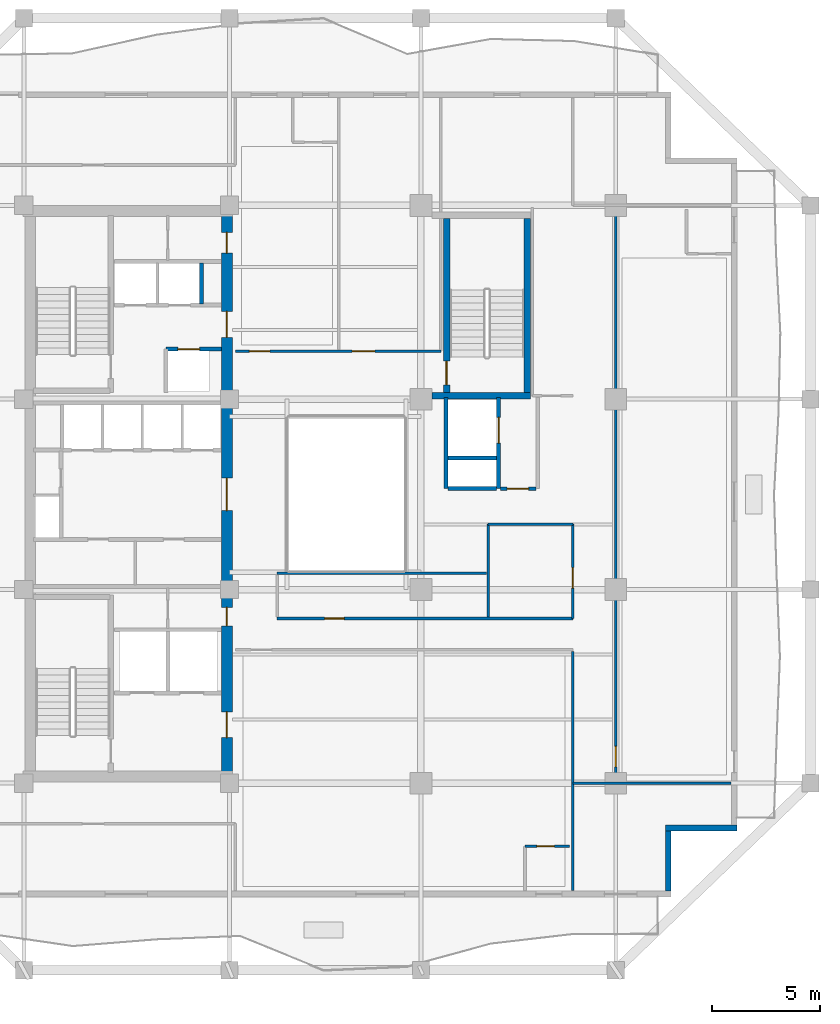
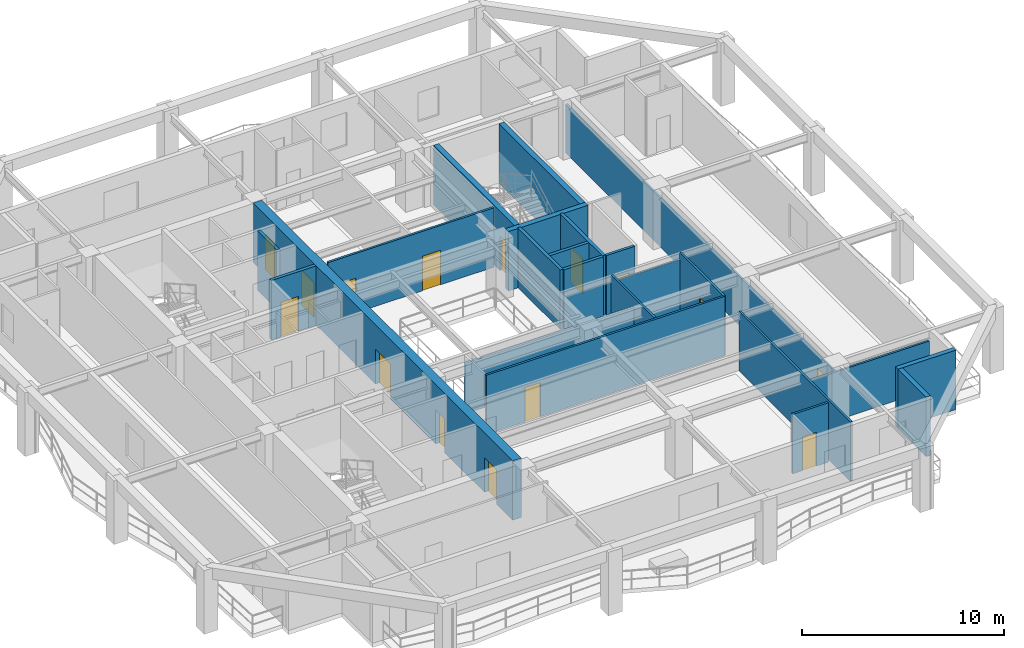
# One storey, part 4 of 10: 23 walls, 15 doors, 15 openings.
"""IFC4 building model written with IfcOpenShell, lengths in metres."""

from ifc_helpers import new_model, si_unit, direction, frame, frame_2d, origin, place, context, subcontext, project, spatial, rectangle, extrude, material, layer, layer_set, type_object, element, fill, save


model = new_model("IFC4")

# Units and contexts
model_context = context("Model", 3, precision=1e-05, world=origin(), true_north=direction((0.0, 1.0)))
body_context = subcontext(model_context, "Body", "Model", "MODEL_VIEW")
ifc_project = project(units=[si_unit("LENGTHUNIT", "METRE"), si_unit("AREAUNIT", "SQUARE_METRE"), si_unit("VOLUMEUNIT", "CUBIC_METRE"), si_unit("PLANEANGLEUNIT", "RADIAN"), si_unit("MASSUNIT", "GRAM", prefix="KILO")], contexts=[model_context])

# Site, building, storey
site_placement = place(None, origin())
site = spatial("IfcSite", under=ifc_project, at=site_placement, CompositionType="ELEMENT")
building_placement = place(site_placement, origin())
building = spatial("IfcBuilding", under=site, at=building_placement, Name="Kundavana Baori Tower", CompositionType="ELEMENT")
storey_placement = place(building_placement, frame((0.0, 0.0, 107.85009765625)))
storey = spatial("IfcBuildingStorey", under=building, at=storey_placement, Name="L25", CompositionType="ELEMENT", Elevation=107.85009765625)

# Wall, openings, doors
ifc_material_1 = material(Name="Concrete C50/60", Category="concrete")
ifc_layer_1 = layer(ifc_material_1, 0.5, Name="WL-CORE-500")
ifc_layer_set_1 = layer_set([ifc_layer_1], Name="Concrete C50/60")
wall_type_1 = type_object("IfcWallType", Name="WL-CORE-500", PredefinedType="SHEAR", material=ifc_layer_set_1)
wall_1_placement = place(storey_placement, frame((24.830078125, 15.739990234375, 0.0), z_axis=(0.0, 0.0, 1.0), x_axis=(0.0, 1.0, 0.0)))
wall_1 = element("IfcWall", 1, at=wall_1_placement, inside=storey, type_object=wall_type_1, Name="L25 Offset Core East Shear Wall", PredefinedType="SHEAR", context=body_context, shape_type="SweptSolid", body=[
    extrude(rectangle(XDim=25.760009765625, YDim=0.5, at=frame_2d((12.8798828125, 0.0))), origin(), (0.0, 0.0, 1.0), 3.599853515625),
])
opening_1_placement = place(wall_1_placement, frame((1.610107421875, 0.0, 0.0)))
opening_1 = element("IfcOpeningElement", 2, at=opening_1_placement, cuts=wall_1, Name="Opening FD-120", PredefinedType="OPENING", context=body_context, shape_type="SweptSolid", body=[
    extrude(rectangle(XDim=1.199951171875, YDim=2.10009765625, at=frame_2d((0.60009765625, 1.050048828125))), frame((0.0, 0.260009765625, 0.0), z_axis=(0.0, -1.0, 0.0), x_axis=(1.0, 0.0, 0.0)), (0.0, 0.0, 1.0), 0.52001953125),
])
opening_2_placement = place(wall_1_placement, frame((6.780029296875, 0.0, 0.0)))
opening_2 = element("IfcOpeningElement", 3, at=opening_2_placement, cuts=wall_1, Name="Opening FD-085", PredefinedType="OPENING", context=body_context, shape_type="SweptSolid", body=[
    extrude(rectangle(XDim=0.85009765625, YDim=2.06005859375, at=frame_2d((0.425048828125, 1.030029296875))), frame((0.0, 0.260009765625, 0.0), z_axis=(0.0, -1.0, 0.0), x_axis=(1.0, 0.0, 0.0)), (0.0, 0.0, 1.0), 0.52001953125),
])
opening_3_placement = place(wall_1_placement, frame((12.110107421875, 0.0, 0.0)))
opening_3 = element("IfcOpeningElement", 4, at=opening_3_placement, cuts=wall_1, Name="Opening FD-150", PredefinedType="OPENING", context=body_context, shape_type="SweptSolid", body=[
    extrude(rectangle(XDim=1.5, YDim=2.1201171875, at=frame_2d((0.75, 1.06005859375))), frame((0.0, 0.260009765625, 0.0), z_axis=(0.0, -1.0, 0.0), x_axis=(1.0, 0.0, 0.0)), (0.0, 0.0, 1.0), 0.52001953125),
])
opening_4_placement = place(wall_1_placement, frame((20.110107421875, 0.0, 0.0)))
opening_4 = element("IfcOpeningElement", 5, at=opening_4_placement, cuts=wall_1, Name="Opening FD-122", PredefinedType="OPENING", context=body_context, shape_type="SweptSolid", body=[
    extrude(rectangle(XDim=1.199951171875, YDim=2.1201171875, at=frame_2d((0.60009765625, 1.06005859375))), frame((0.0, 0.260009765625, 0.0), z_axis=(0.0, -1.0, 0.0), x_axis=(1.0, 0.0, 0.0)), (0.0, 0.0, 1.0), 0.52001953125),
])
opening_5_placement = place(wall_1_placement, frame((24.010009765625, 0.0, 0.0)))
opening_5 = element("IfcOpeningElement", 6, at=opening_5_placement, cuts=wall_1, Name="Opening FD-095", PredefinedType="OPENING", context=body_context, shape_type="SweptSolid", body=[
    extrude(rectangle(XDim=0.949951171875, YDim=2.10009765625, at=frame_2d((0.47509765625, 1.050048828125))), frame((0.0, 0.260009765625, 0.0), z_axis=(0.0, -1.0, 0.0), x_axis=(1.0, 0.0, 0.0)), (0.0, 0.0, 1.0), 0.52001953125),
])
ifc_material_2 = material(Name="Galvanised Steel Fire-Rated Door Leaf", Category="steel")
door_type_1 = type_object("IfcDoorType", Name="DR-FD120-1200", OperationType="NOTDEFINED", PredefinedType="DOOR", material=ifc_material_2)
door_1_placement = place(opening_1_placement, frame((1.199951171875, 0.0, 0.0), z_axis=(0.0, 0.0, 1.0), x_axis=(-1.0, 0.0, 0.0)))
door_1 = element("IfcDoor", 7, at=door_1_placement, inside=storey, type_object=door_type_1, Name="DR-L25-FFLOB-E", OperationType="SINGLE_SWING_RIGHT", OverallHeight=2.10009765625, OverallWidth=1.199951171875, PredefinedType="DOOR", context=body_context, shape_type="SweptSolid", body=[
    extrude(rectangle(XDim=1.199951171875, YDim=2.10009765625, at=frame_2d((0.60009765625, 1.050048828125))), frame((0.0, 0.02490234375, 0.0), z_axis=(0.0, -1.0, 0.0), x_axis=(1.0, 0.0, 0.0)), (0.0, 0.0, 1.0), 0.050048828125),
])
fill(opening_1, door_1)
ifc_material_3 = material(Name="Galvanised Steel Fire-Rated Door Leaf", Category="steel")
door_type_2 = type_object("IfcDoorType", Name="DR-FD60-1200", OperationType="NOTDEFINED", PredefinedType="DOOR", material=ifc_material_3)
door_2_placement = place(opening_4_placement, frame((1.199951171875, 0.0, 0.0), z_axis=(0.0, 0.0, 1.0), x_axis=(-1.0, 0.0, 0.0)))
door_2 = element("IfcDoor", 8, at=door_2_placement, inside=storey, type_object=door_type_2, Name="DR-L25-HRLOB-E", OperationType="SINGLE_SWING_RIGHT", OverallHeight=2.1201171875, OverallWidth=1.199951171875, PredefinedType="DOOR", context=body_context, shape_type="SweptSolid", body=[
    extrude(rectangle(XDim=1.199951171875, YDim=2.1201171875, at=frame_2d((0.60009765625, 1.06005859375))), frame((0.0, 0.02490234375, 0.0), z_axis=(0.0, -1.0, 0.0), x_axis=(1.0, 0.0, 0.0)), (0.0, 0.0, 1.0), 0.050048828125),
])
fill(opening_4, door_2)
ifc_material_4 = material(Name="Galvanised Steel Fire-Rated Door Leaf", Category="steel")
door_type_3 = type_object("IfcDoorType", Name="DR-FD60-1500", OperationType="NOTDEFINED", PredefinedType="DOOR", material=ifc_material_4)
door_3_placement = place(opening_3_placement, frame((1.5, 0.0, 0.0), z_axis=(0.0, 0.0, 1.0), x_axis=(-1.0, 0.0, 0.0)))
door_3 = element("IfcDoor", 9, at=door_3_placement, inside=storey, type_object=door_type_3, Name="DR-L25-LIFTHALL-E", OperationType="SINGLE_SWING_LEFT", OverallHeight=2.1201171875, OverallWidth=1.5, PredefinedType="DOOR", context=body_context, shape_type="SweptSolid", body=[
    extrude(rectangle(XDim=1.5, YDim=2.1201171875, at=frame_2d((0.75, 1.06005859375))), frame((0.0, 0.02490234375, 0.0), z_axis=(0.0, -1.0, 0.0), x_axis=(1.0, 0.0, 0.0)), (0.0, 0.0, 1.0), 0.050048828125),
])
fill(opening_3, door_3)
ifc_material_5 = material(Name="Galvanised Steel Fire-Rated Door Leaf", Category="steel")
door_type_4 = type_object("IfcDoorType", Name="DR-FD60-850", OperationType="NOTDEFINED", PredefinedType="DOOR", material=ifc_material_5)
door_4_placement = place(opening_2_placement, frame((0.85009765625, 0.0, 0.0), z_axis=(0.0, 0.0, 1.0), x_axis=(-1.0, 0.0, 0.0)))
door_4 = element("IfcDoor", 10, at=door_4_placement, inside=storey, type_object=door_type_4, Name="DR-L25-CSMK2", OperationType="SINGLE_SWING_RIGHT", OverallHeight=2.06005859375, OverallWidth=0.85009765625, PredefinedType="DOOR", context=body_context, shape_type="SweptSolid", body=[
    extrude(rectangle(XDim=0.85009765625, YDim=2.06005859375, at=frame_2d((0.425048828125, 1.030029296875))), frame((0.0, 0.02490234375, 0.0), z_axis=(0.0, -1.0, 0.0), x_axis=(1.0, 0.0, 0.0)), (0.0, 0.0, 1.0), 0.050048828125),
])
fill(opening_2, door_4)
ifc_material_6 = material(Name="Engineered Teak Fire-Rated Timber Door Leaf", Category="wood")
door_type_5 = type_object("IfcDoorType", Name="DR-FD60-950", OperationType="NOTDEFINED", PredefinedType="DOOR", material=ifc_material_6)
door_5_placement = place(opening_5_placement, frame((0.949951171875, 0.0, 0.0), z_axis=(0.0, 0.0, 1.0), x_axis=(-1.0, 0.0, 0.0)))
door_5 = element("IfcDoor", 11, at=door_5_placement, inside=storey, type_object=door_type_5, Name="DR-L25-CSRV2", OperationType="SINGLE_SWING_RIGHT", OverallHeight=2.10009765625, OverallWidth=0.949951171875, PredefinedType="DOOR", context=body_context, shape_type="SweptSolid", body=[
    extrude(rectangle(XDim=0.949951171875, YDim=2.10009765625, at=frame_2d((0.47509765625, 1.050048828125))), frame((0.0, 0.02490234375, 0.0), z_axis=(0.0, -1.0, 0.0), x_axis=(1.0, 0.0, 0.0)), (0.0, 0.0, 1.0), 0.050048828125),
])
fill(opening_5, door_5)

# Walls
ifc_material_7 = material(Name="Kiln-Fired Terracotta Brick-Slip Masonry on Concrete C40/50", Category="masonry")
ifc_layer_2 = layer(ifc_material_7, 0.260009765625, Name="WL-EXT-BRK-260")
ifc_layer_set_2 = layer_set([ifc_layer_2], Name="Kiln-Fired Terracotta Brick-Slip Masonry on Concrete C40/50")
wall_type_2 = type_object("IfcWallType", Name="WL-EXT-BRK-260", PredefinedType="SOLIDWALL", material=ifc_layer_set_2)
wall_2_placement = place(storey_placement, frame((45.219970703125, 10.260009765625, 0.0), z_axis=(0.0, 0.0, 1.0), x_axis=(0.0, 1.0, 0.0)))
element("IfcWall", 12, at=wall_2_placement, inside=storey, type_object=wall_type_2, Name="L25 Exterior Insulated Facade Wall 02", PredefinedType="SOLIDWALL", context=body_context, shape_type="SweptSolid", body=[
    extrude(rectangle(XDim=2.7900390625, YDim=0.260009765625, at=frame_2d((1.39501953125, 0.0))), origin(), (0.0, 0.0, 1.0), 3.599853515625),
])
wall_3_placement = place(storey_placement, frame((45.090087890625, 13.179931640625, 0.0), z_axis=(0.0, 0.0, 1.0), x_axis=(1.0, 0.0, 0.0)))
element("IfcWall", 13, at=wall_3_placement, inside=storey, type_object=wall_type_2, Name="L25 Exterior Insulated Facade Wall 03", PredefinedType="SOLIDWALL", context=body_context, shape_type="SweptSolid", body=[
    extrude(rectangle(XDim=3.309814453125, YDim=0.260009765625, at=frame_2d((1.65478515625, 0.0))), origin(), (0.0, 0.0, 1.0), 3.599853515625),
])

# Wall, opening, door
ifc_material_8 = material(Name="Acoustic Gypsum Plasterboard on Galvanised Steel Studs", Category="steel")
ifc_layer_3 = layer(ifc_material_8, 0.1201171875, Name="WL-PART-120")
ifc_layer_set_3 = layer_set([ifc_layer_3], Name="Acoustic Gypsum Plasterboard on Galvanised Steel Studs")
wall_type_3 = type_object("IfcWallType", Name="WL-PART-120", PredefinedType="PARTITIONING", material=ifc_layer_set_3)
wall_4_placement = place(storey_placement, frame((27.14990234375, 22.860107421875, 0.0), z_axis=(0.0, 0.0, 1.0), x_axis=(1.0, 0.0, 0.0)))
wall_4 = element("IfcWall", 14, at=wall_4_placement, inside=storey, type_object=wall_type_3, Name="WL-L25-HST", PredefinedType="PARTITIONING", context=body_context, shape_type="SweptSolid", body=[
    extrude(rectangle(XDim=13.670166015625, YDim=0.1201171875, at=frame_2d((6.8349609375, 0.0))), origin(), (0.0, 0.0, 1.0), 3.599853515625),
])
opening_6_placement = place(wall_4_placement, frame((2.199951171875, 0.0, 0.0)))
opening_6 = element("IfcOpeningElement", 15, at=opening_6_placement, cuts=wall_4, Name="Opening ID-090", PredefinedType="OPENING", context=body_context, shape_type="SweptSolid", body=[
    extrude(rectangle(XDim=0.89990234375, YDim=2.080078125, at=frame_2d((0.449951171875, 1.0400390625))), frame((0.0, 0.070068359375, 0.0), z_axis=(0.0, -1.0, 0.0), x_axis=(1.0, 0.0, 0.0)), (0.0, 0.0, 1.0), 0.14013671875),
])
ifc_material_9 = material(Name="Engineered Teak Solid-Core Timber Veneer", Category="wood")
door_type_6 = type_object("IfcDoorType", Name="DR-INT-900", OperationType="NOTDEFINED", PredefinedType="DOOR", material=ifc_material_9)
door_6_placement = place(opening_6_placement, origin())
door_6 = element("IfcDoor", 16, at=door_6_placement, inside=storey, type_object=door_type_6, Name="DR-L25-HPNT", OperationType="SINGLE_SWING_LEFT", OverallHeight=2.080078125, OverallWidth=0.89990234375, PredefinedType="DOOR", context=body_context, shape_type="SweptSolid", body=[
    extrude(rectangle(XDim=0.89990234375, YDim=2.080078125, at=frame_2d((0.449951171875, 1.0400390625))), frame((0.0, 0.02490234375, 0.0), z_axis=(0.0, -1.0, 0.0), x_axis=(1.0, 0.0, 0.0)), (0.0, 0.0, 1.0), 0.050048828125),
])
fill(opening_6, door_6)

# Wall, openings, doors
wall_5_placement = place(storey_placement, frame((25.219970703125, 35.219970703125, 0.0), z_axis=(0.0, 0.0, 1.0), x_axis=(1.0, 0.0, 0.0)))
wall_5 = element("IfcWall", 17, at=wall_5_placement, inside=storey, type_object=wall_type_3, Name="WL-L25-HN", PredefinedType="PARTITIONING", context=body_context, shape_type="SweptSolid", body=[
    extrude(rectangle(XDim=9.5, YDim=0.1201171875, at=frame_2d((4.75, 0.0))), origin(), (0.0, 0.0, 1.0), 3.599853515625),
])
opening_7_placement = place(wall_5_placement, frame((0.64990234375, 0.0, 0.0)))
opening_7 = element("IfcOpeningElement", 18, at=opening_7_placement, cuts=wall_5, Name="Opening FD-095", PredefinedType="OPENING", context=body_context, shape_type="SweptSolid", body=[
    extrude(rectangle(XDim=0.949951171875, YDim=2.10009765625, at=frame_2d((0.47509765625, 1.050048828125))), frame((0.0, 0.070068359375, 0.0), z_axis=(0.0, -1.0, 0.0), x_axis=(1.0, 0.0, 0.0)), (0.0, 0.0, 1.0), 0.14013671875),
])
opening_8_placement = place(wall_5_placement, frame((5.39990234375, 0.0, 0.0)))
opening_8 = element("IfcOpeningElement", 19, at=opening_8_placement, cuts=wall_5, Name="Opening ID-105", PredefinedType="OPENING", context=body_context, shape_type="SweptSolid", body=[
    extrude(rectangle(XDim=1.050048828125, YDim=2.10009765625, at=frame_2d((0.52490234375, 1.050048828125))), frame((0.0, 0.070068359375, 0.0), z_axis=(0.0, -1.0, 0.0), x_axis=(1.0, 0.0, 0.0)), (0.0, 0.0, 1.0), 0.14013671875),
])
door_7_placement = place(opening_7_placement, origin())
door_7 = element("IfcDoor", 20, at=door_7_placement, inside=storey, type_object=door_type_5, Name="DR-L25-HK-N1-ENT", OperationType="SINGLE_SWING_LEFT", OverallHeight=2.10009765625, OverallWidth=0.949951171875, PredefinedType="DOOR", context=body_context, shape_type="SweptSolid", body=[
    extrude(rectangle(XDim=0.949951171875, YDim=2.10009765625, at=frame_2d((0.47509765625, 1.050048828125))), frame((0.0, 0.02490234375, 0.0), z_axis=(0.0, -1.0, 0.0), x_axis=(1.0, 0.0, 0.0)), (0.0, 0.0, 1.0), 0.050048828125),
])
fill(opening_7, door_7)
ifc_material_10 = material(Name="Engineered Teak Solid-Core Timber Veneer", Category="wood")
door_type_7 = type_object("IfcDoorType", Name="DR-INT-1050", OperationType="NOTDEFINED", PredefinedType="DOOR", material=ifc_material_10)
door_8_placement = place(opening_8_placement, origin())
door_8 = element("IfcDoor", 21, at=door_8_placement, inside=storey, type_object=door_type_7, Name="DR-L25-HLNG", OperationType="SINGLE_SWING_RIGHT", OverallHeight=2.10009765625, OverallWidth=1.050048828125, PredefinedType="DOOR", context=body_context, shape_type="SweptSolid", body=[
    extrude(rectangle(XDim=1.050048828125, YDim=2.10009765625, at=frame_2d((0.52490234375, 1.050048828125))), frame((0.0, 0.02490234375, 0.0), z_axis=(0.0, -1.0, 0.0), x_axis=(1.0, 0.0, 0.0)), (0.0, 0.0, 1.0), 0.050048828125),
])
fill(opening_8, door_8)

# Wall, opening, door
wall_6_placement = place(storey_placement, frame((42.800048828125, 15.25, 0.0), z_axis=(0.0, 0.0, 1.0), x_axis=(0.0, 1.0, 0.0)))
wall_6 = element("IfcWall", 22, at=wall_6_placement, inside=storey, type_object=wall_type_3, Name="WL-L25-HE", PredefinedType="PARTITIONING", context=body_context, shape_type="SweptSolid", body=[
    extrude(rectangle(XDim=26.699951171875, YDim=0.1201171875, at=frame_2d((13.35009765625, 0.0))), origin(), (0.0, 0.0, 1.0), 2.949951171875),
])
opening_9_placement = place(wall_6_placement, frame((0.75, 0.0, 0.0)))
opening_9 = element("IfcOpeningElement", 23, at=opening_9_placement, cuts=wall_6, Name="Opening FD-095", PredefinedType="OPENING", context=body_context, shape_type="SweptSolid", body=[
    extrude(rectangle(XDim=0.949951171875, YDim=2.10009765625, at=frame_2d((0.47509765625, 1.050048828125))), frame((0.0, 0.070068359375, 0.0), z_axis=(0.0, -1.0, 0.0), x_axis=(1.0, 0.0, 0.0)), (0.0, 0.0, 1.0), 0.14013671875),
])
door_9_placement = place(opening_9_placement, origin())
door_9 = element("IfcDoor", 24, at=door_9_placement, inside=storey, type_object=door_type_5, Name="DR-L25-HK-E1-ENT", OperationType="SINGLE_SWING_LEFT", OverallHeight=2.10009765625, OverallWidth=0.949951171875, PredefinedType="DOOR", context=body_context, shape_type="SweptSolid", body=[
    extrude(rectangle(XDim=0.949951171875, YDim=2.10009765625, at=frame_2d((0.47509765625, 1.050048828125))), frame((0.0, 0.02490234375, 0.0), z_axis=(0.0, -1.0, 0.0), x_axis=(1.0, 0.0, 0.0)), (0.0, 0.0, 1.0), 0.050048828125),
])
fill(opening_9, door_9)

# Wall
wall_7_placement = place(storey_placement, frame((40.820068359375, 15.25, 0.0), z_axis=(0.0, 0.0, 1.0), x_axis=(1.0, 0.0, 0.0)))
element("IfcWall", 25, at=wall_7_placement, inside=storey, type_object=wall_type_3, Name="WL-L25-HES", PredefinedType="PARTITIONING", context=body_context, shape_type="SweptSolid", body=[
    extrude(rectangle(XDim=7.300048828125, YDim=0.1201171875, at=frame_2d((3.64990234375, 0.0))), origin(), (0.0, 0.0, 1.0), 2.949951171875),
])

# Wall, opening, door
wall_8_placement = place(storey_placement, frame((40.820068359375, 22.860107421875, 0.0), z_axis=(0.0, 0.0, 1.0), x_axis=(0.0, 1.0, 0.0)))
wall_8 = element("IfcWall", 26, at=wall_8_placement, inside=storey, type_object=wall_type_3, Name="WL-L25-HEW", PredefinedType="PARTITIONING", context=body_context, shape_type="SweptSolid", body=[
    extrude(rectangle(XDim=4.35986328125, YDim=0.1201171875, at=frame_2d((2.179931640625, 0.0))), origin(), (0.0, 0.0, 1.0), 3.599853515625),
])
opening_10_placement = place(wall_8_placement, frame((1.39990234375, 0.0, 0.0)))
opening_10 = element("IfcOpeningElement", 27, at=opening_10_placement, cuts=wall_8, Name="Opening FD-095", PredefinedType="OPENING", context=body_context, shape_type="SweptSolid", body=[
    extrude(rectangle(XDim=0.949951171875, YDim=2.10009765625, at=frame_2d((0.47509765625, 1.050048828125))), frame((0.0, 0.070068359375, 0.0), z_axis=(0.0, -1.0, 0.0), x_axis=(1.0, 0.0, 0.0)), (0.0, 0.0, 1.0), 0.14013671875),
])
door_10_placement = place(opening_10_placement, frame((0.949951171875, 0.0, 0.0), z_axis=(0.0, 0.0, 1.0), x_axis=(-1.0, 0.0, 0.0)))
door_10 = element("IfcDoor", 28, at=door_10_placement, inside=storey, type_object=door_type_5, Name="DR-L25-HSK", OperationType="SINGLE_SWING_RIGHT", OverallHeight=2.10009765625, OverallWidth=0.949951171875, PredefinedType="DOOR", context=body_context, shape_type="SweptSolid", body=[
    extrude(rectangle(XDim=0.949951171875, YDim=2.10009765625, at=frame_2d((0.47509765625, 1.050048828125))), frame((0.0, 0.02490234375, 0.0), z_axis=(0.0, -1.0, 0.0), x_axis=(1.0, 0.0, 0.0)), (0.0, 0.0, 1.0), 0.050048828125),
])
fill(opening_10, door_10)

# Walls
wall_9_placement = place(storey_placement, frame((36.89990234375, 27.219970703125, 0.0), z_axis=(0.0, 0.0, 1.0), x_axis=(1.0, 0.0, 0.0)))
element("IfcWall", 29, at=wall_9_placement, inside=storey, type_object=wall_type_3, Name="WL-L25-HKN", PredefinedType="PARTITIONING", context=body_context, shape_type="SweptSolid", body=[
    extrude(rectangle(XDim=3.920166015625, YDim=0.1201171875, at=frame_2d((1.9599609375, 0.0))), origin(), (0.0, 0.0, 1.0), 3.199951171875),
])
wall_10_placement = place(storey_placement, frame((36.89990234375, 22.93994140625, 0.0), z_axis=(0.0, 0.0, 1.0), x_axis=(0.0, 1.0, 0.0)))
element("IfcWall", 30, at=wall_10_placement, inside=storey, type_object=wall_type_3, Name="WL-L25-HKD", PredefinedType="PARTITIONING", context=body_context, shape_type="SweptSolid", body=[
    extrude(rectangle(XDim=4.280029296875, YDim=0.1201171875, at=frame_2d((2.14013671875, 0.0))), origin(), (0.0, 0.0, 1.0), 3.599853515625),
])
wall_11_placement = place(storey_placement, frame((27.14990234375, 24.949951171875, 0.0), z_axis=(0.0, 0.0, 1.0), x_axis=(1.0, 0.0, 0.0)))
element("IfcWall", 31, at=wall_11_placement, inside=storey, type_object=wall_type_3, Name="WL-L25-HPN1", PredefinedType="PARTITIONING", context=body_context, shape_type="SweptSolid", body=[
    extrude(rectangle(XDim=9.670166015625, YDim=0.1201171875, at=frame_2d((4.8349609375, 0.0))), origin(), (0.0, 0.0, 1.0), 3.0498046875),
])
wall_12_placement = place(storey_placement, frame((40.820068359375, 10.280029296875, 0.0), z_axis=(0.0, 0.0, 1.0), x_axis=(0.0, 1.0, 0.0)))
element("IfcWall", 32, at=wall_12_placement, inside=storey, type_object=wall_type_3, Name="WL-L25-HSEND", PredefinedType="PARTITIONING", context=body_context, shape_type="SweptSolid", body=[
    extrude(rectangle(XDim=11.06005859375, YDim=0.1201171875, at=frame_2d((5.530029296875, 0.0))), origin(), (0.0, 0.0, 1.0), 3.599853515625),
])

# Wall, opening, door
ifc_material_11 = material(Name="Fire-Rated Gypsum Drywall on Galvanised Steel Studs", Category="steel")
ifc_layer_4 = layer(ifc_material_11, 0.14990234375, Name="WL-PART-150")
ifc_layer_set_4 = layer_set([ifc_layer_4], Name="Fire-Rated Gypsum Drywall on Galvanised Steel Studs")
wall_type_4 = type_object("IfcWallType", Name="WL-PART-150", PredefinedType="PARTITIONING", material=ifc_layer_set_4)
wall_13_placement = place(storey_placement, frame((37.47998046875, 28.860107421875, 0.0), z_axis=(0.0, 0.0, 1.0), x_axis=(1.0, 0.0, 0.0)))
wall_13 = element("IfcWall", 33, at=wall_13_placement, inside=storey, type_object=wall_type_4, Name="WL-L25-SVLOB-S", PredefinedType="PARTITIONING", context=body_context, shape_type="SweptSolid", body=[
    extrude(rectangle(XDim=1.64013671875, YDim=0.14990234375, at=frame_2d((0.820068359375, 0.0))), origin(), (0.0, 0.0, 1.0), 3.599853515625),
])
opening_11_placement = place(wall_13_placement, frame((0.300048828125, 0.0, 0.0)))
opening_11 = element("IfcOpeningElement", 34, at=opening_11_placement, cuts=wall_13, Name="Opening FD-100", PredefinedType="OPENING", context=body_context, shape_type="SweptSolid", body=[
    extrude(rectangle(XDim=1.0, YDim=2.10009765625, at=frame_2d((0.5, 1.050048828125))), frame((0.0, 0.0849609375, 0.0), z_axis=(0.0, -1.0, 0.0), x_axis=(1.0, 0.0, 0.0)), (0.0, 0.0, 1.0), 0.169921875),
])
ifc_material_12 = material(Name="Engineered Teak Fire-Rated Timber Door Leaf", Category="wood")
door_type_8 = type_object("IfcDoorType", Name="DR-FD60-1000", OperationType="NOTDEFINED", PredefinedType="DOOR", material=ifc_material_12)
door_11_placement = place(opening_11_placement, origin())
door_11 = element("IfcDoor", 35, at=door_11_placement, inside=storey, type_object=door_type_8, Name="DR-L25-SVLOB-OUT", OperationType="SINGLE_SWING_LEFT", OverallHeight=2.10009765625, OverallWidth=1.0, PredefinedType="DOOR", context=body_context, shape_type="SweptSolid", body=[
    extrude(rectangle(XDim=1.0, YDim=2.10009765625, at=frame_2d((0.5, 1.050048828125))), frame((0.0, 0.02490234375, 0.0), z_axis=(0.0, -1.0, 0.0), x_axis=(1.0, 0.0, 0.0)), (0.0, 0.0, 1.0), 0.050048828125),
])
fill(opening_11, door_11)

ifc_material_13 = material(Name="Autoclaved Aerated Concrete Blockwork Masonry", Category="masonry")
ifc_layer_5 = layer(ifc_material_13, 0.179931640625, Name="WL-SHAFT-180")
ifc_layer_set_5 = layer_set([ifc_layer_5], Name="Autoclaved Aerated Concrete Blockwork Masonry")
wall_type_5 = type_object("IfcWallType", Name="WL-SHAFT-180", PredefinedType="SOLIDWALL", material=ifc_layer_set_5)
wall_14_placement = place(storey_placement, frame((22.02001953125, 35.31005859375, 0.0), z_axis=(0.0, 0.0, 1.0), x_axis=(1.0, 0.0, 0.0)))
wall_14 = element("IfcWall", 36, at=wall_14_placement, inside=storey, type_object=wall_type_5, Name="WL-L25-LP11-N", PredefinedType="SOLIDWALL", context=body_context, shape_type="SweptSolid", body=[
    extrude(rectangle(XDim=2.56005859375, YDim=0.179931640625, at=frame_2d((1.280029296875, 0.0))), origin(), (0.0, 0.0, 1.0), 3.599853515625),
])
opening_12_placement = place(wall_14_placement, frame((0.550048828125, 0.0, 0.0)))
opening_12 = element("IfcOpeningElement", 37, at=opening_12_placement, cuts=wall_14, Name="Opening LD-100", PredefinedType="OPENING", context=body_context, shape_type="SweptSolid", body=[
    extrude(rectangle(XDim=1.0, YDim=2.10009765625, at=frame_2d((0.5, 1.050048828125))), frame((0.0, 0.10009765625, 0.0), z_axis=(0.0, -1.0, 0.0), x_axis=(1.0, 0.0, 0.0)), (0.0, 0.0, 1.0), 0.199951171875),
])
ifc_material_14 = material(Name="Galvanised Steel Fire-Rated Door Leaf", Category="steel")
door_type_9 = type_object("IfcDoorType", Name="DR-SLIDE-LD1000", OperationType="NOTDEFINED", PredefinedType="DOOR", material=ifc_material_14)
door_12_placement = place(opening_12_placement, origin())
door_12 = element("IfcDoor", 38, at=door_12_placement, inside=storey, type_object=door_type_9, Name="DR-L25-LD-LP11", OperationType="DOUBLE_DOOR_SLIDING", OverallHeight=2.10009765625, OverallWidth=1.0, PredefinedType="DOOR", context=body_context, shape_type="SweptSolid", body=[
    extrude(rectangle(XDim=1.0, YDim=2.10009765625, at=frame_2d((0.5, 1.050048828125))), frame((0.0, 0.02490234375, 0.0), z_axis=(0.0, -1.0, 0.0), x_axis=(1.0, 0.0, 0.0)), (0.0, 0.0, 1.0), 0.050048828125),
])
fill(opening_12, door_12)

# Walls
wall_15_placement = place(storey_placement, frame((23.659912109375, 37.39990234375, 0.0), z_axis=(0.0, 0.0, 1.0), x_axis=(0.0, 1.0, 0.0)))
element("IfcWall", 39, at=wall_15_placement, inside=storey, type_object=wall_type_5, Name="WL-L25-HR-DIV2", PredefinedType="SOLIDWALL", context=body_context, shape_type="SweptSolid", body=[
    extrude(rectangle(XDim=1.900146484375, YDim=0.179931640625, at=frame_2d((0.9501953125, 0.0))), origin(), (0.0, 0.0, 1.0), 3.599853515625),
])
wall_16_placement = place(storey_placement, frame((34.9599609375, 28.860107421875, 0.0), z_axis=(0.0, 0.0, 1.0), x_axis=(0.0, 1.0, 0.0)))
element("IfcWall", 40, at=wall_16_placement, inside=storey, type_object=wall_type_5, Name="WL-L25-SVL-W", PredefinedType="SOLIDWALL", context=body_context, shape_type="SweptSolid", body=[
    extrude(rectangle(XDim=4.219970703125, YDim=0.179931640625, at=frame_2d((2.10986328125, 0.0))), origin(), (0.0, 0.0, 1.0), 3.599853515625),
])

# Wall, opening, door
wall_17_placement = place(storey_placement, frame((37.389892578125, 28.860107421875, 0.0), z_axis=(0.0, 0.0, 1.0), x_axis=(0.0, 1.0, 0.0)))
wall_17 = element("IfcWall", 41, at=wall_17_placement, inside=storey, type_object=wall_type_5, Name="WL-L25-SVL-E", PredefinedType="SOLIDWALL", context=body_context, shape_type="SweptSolid", body=[
    extrude(rectangle(XDim=4.219970703125, YDim=0.179931640625, at=frame_2d((2.10986328125, 0.0))), origin(), (0.0, 0.0, 1.0), 3.599853515625),
])
opening_13_placement = place(wall_17_placement, frame((2.10009765625, 0.0, 0.0)))
opening_13 = element("IfcOpeningElement", 42, at=opening_13_placement, cuts=wall_17, Name="Opening LD-120", PredefinedType="OPENING", context=body_context, shape_type="SweptSolid", body=[
    extrude(rectangle(XDim=1.199951171875, YDim=2.1201171875, at=frame_2d((0.60009765625, 1.06005859375))), frame((0.0, 0.10009765625, 0.0), z_axis=(0.0, -1.0, 0.0), x_axis=(1.0, 0.0, 0.0)), (0.0, 0.0, 1.0), 0.199951171875),
])
ifc_material_15 = material(Name="Galvanised Steel Fire-Rated Door Leaf", Category="steel")
door_type_10 = type_object("IfcDoorType", Name="DR-SLIDE-LD1200", OperationType="NOTDEFINED", PredefinedType="DOOR", material=ifc_material_15)
door_13_placement = place(opening_13_placement, frame((1.199951171875, 0.0, 0.0), z_axis=(0.0, 0.0, 1.0), x_axis=(-1.0, 0.0, 0.0)))
door_13 = element("IfcDoor", 43, at=door_13_placement, inside=storey, type_object=door_type_10, Name="DR-L25-LD-SVL1", OperationType="DOUBLE_DOOR_SLIDING", OverallHeight=2.1201171875, OverallWidth=1.199951171875, PredefinedType="DOOR", context=body_context, shape_type="SweptSolid", body=[
    extrude(rectangle(XDim=1.199951171875, YDim=2.1201171875, at=frame_2d((0.60009765625, 1.06005859375))), frame((0.0, 0.02490234375, 0.0), z_axis=(0.0, -1.0, 0.0), x_axis=(1.0, 0.0, 0.0)), (0.0, 0.0, 1.0), 0.050048828125),
])
fill(opening_13, door_13)

# Walls
for number, where, z_axis, x_axis, name in (
    (44, (35.050048828125, 28.860107421875, 0.0), (0.0, 0.0, 1.0), (1.0, 0.0, 0.0), "WL-L25-SVL-S"),
    (45, (35.050048828125, 30.27001953125, 0.0), (0.0, 0.0, 1.0), (1.0, 0.0, 0.0), "WL-L25-SVL-M"),
):
    element("IfcWall", number, at=place(storey_placement, frame(where, z_axis=z_axis, x_axis=x_axis)), inside=storey, type_object=wall_type_5, Name=name, PredefinedType="SOLIDWALL", context=body_context, shape_type="SweptSolid", body=[
        extrude(rectangle(XDim=2.25, YDim=0.179931640625, at=frame_2d((1.125, 0.0))), origin(), (0.0, 0.0, 1.0), 3.599853515625),
    ])
ifc_material_16 = material(Name="Concrete C50/60", Category="concrete")
ifc_layer_6 = layer(ifc_material_16, 0.300048828125, Name="WL-ST3-300")
ifc_layer_set_6 = layer_set([ifc_layer_6], Name="Concrete C50/60")
wall_type_6 = type_object("IfcWallType", Name="WL-ST3-300", PredefinedType="SHEAR", material=ifc_layer_set_6)
wall_18_placement = place(storey_placement, frame((34.300048828125, 33.159912109375, 0.0), z_axis=(0.0, 0.0, 1.0), x_axis=(1.0, 0.0, 0.0)))
element("IfcWall", 46, at=wall_18_placement, inside=storey, type_object=wall_type_6, Name="L25 Stair ST3 South Shear Wall", PredefinedType="SHEAR", context=body_context, shape_type="SweptSolid", body=[
    extrude(rectangle(XDim=4.570068359375, YDim=0.300048828125, at=frame_2d((2.28515625, 0.0))), origin(), (0.0, 0.0, 1.0), 3.599853515625),
])

# Wall, opening, door
wall_19_placement = place(storey_placement, frame((34.97998046875, 33.31005859375, 0.0), z_axis=(0.0, 0.0, 1.0), x_axis=(0.0, 1.0, 0.0)))
wall_19 = element("IfcWall", 47, at=wall_19_placement, inside=storey, type_object=wall_type_6, Name="L25 Stair ST3 West Shear Wall", PredefinedType="SHEAR", context=body_context, shape_type="SweptSolid", body=[
    extrude(rectangle(XDim=8.030029296875, YDim=0.300048828125, at=frame_2d((4.01513671875, 0.0))), origin(), (0.0, 0.0, 1.0), 3.599853515625),
])
opening_14_placement = place(wall_19_placement, frame((0.35009765625, 0.0, 0.0)))
opening_14 = element("IfcOpeningElement", 48, at=opening_14_placement, cuts=wall_19, Name="Opening FD-110", PredefinedType="OPENING", context=body_context, shape_type="SweptSolid", body=[
    extrude(rectangle(XDim=1.10009765625, YDim=2.10009765625, at=frame_2d((0.550048828125, 1.050048828125))), frame((0.0, 0.16015625, 0.0), z_axis=(0.0, -1.0, 0.0), x_axis=(1.0, 0.0, 0.0)), (0.0, 0.0, 1.0), 0.320068359375),
])
ifc_material_17 = material(Name="Galvanised Steel Fire-Rated Door Leaf", Category="steel")
door_type_11 = type_object("IfcDoorType", Name="DR-FD120-1100", OperationType="NOTDEFINED", PredefinedType="DOOR", material=ifc_material_17)
door_14_placement = place(opening_14_placement, origin())
door_14 = element("IfcDoor", 49, at=door_14_placement, inside=storey, type_object=door_type_11, Name="DR-L25-ST3-W", OperationType="SINGLE_SWING_LEFT", OverallHeight=2.10009765625, OverallWidth=1.10009765625, PredefinedType="DOOR", context=body_context, shape_type="SweptSolid", body=[
    extrude(rectangle(XDim=1.10009765625, YDim=2.10009765625, at=frame_2d((0.550048828125, 1.050048828125))), frame((0.0, 0.02490234375, 0.0), z_axis=(0.0, -1.0, 0.0), x_axis=(1.0, 0.0, 0.0)), (0.0, 0.0, 1.0), 0.050048828125),
])
fill(opening_14, door_14)

# Wall
wall_20_placement = place(storey_placement, frame((38.719970703125, 33.31005859375, 0.0), z_axis=(0.0, 0.0, 1.0), x_axis=(0.0, 1.0, 0.0)))
element("IfcWall", 50, at=wall_20_placement, inside=storey, type_object=wall_type_6, Name="L25 Stair ST3 East Shear Wall", PredefinedType="SHEAR", context=body_context, shape_type="SweptSolid", body=[
    extrude(rectangle(XDim=8.030029296875, YDim=0.300048828125, at=frame_2d((4.01513671875, 0.0))), origin(), (0.0, 0.0, 1.0), 3.599853515625),
])

# Wall, opening, door
ifc_material_18 = material(Name="Autoclaved Aerated Concrete Blockwork Masonry", Category="masonry")
ifc_layer_7 = layer(ifc_material_18, 0.125, Name="WL-WET-120")
ifc_layer_set_7 = layer_set([ifc_layer_7], Name="Autoclaved Aerated Concrete Blockwork Masonry")
wall_type_7 = type_object("IfcWallType", Name="WL-WET-120", PredefinedType="PLUMBINGWALL", material=ifc_layer_set_7)
wall_21_placement = place(storey_placement, frame((38.610107421875, 12.330078125, 0.0), z_axis=(0.0, 0.0, 1.0), x_axis=(1.0, 0.0, 0.0)))
wall_21 = element("IfcWall", 51, at=wall_21_placement, inside=storey, type_object=wall_type_7, Name="WL-L25-HK-S1-BN", PredefinedType="PLUMBINGWALL", context=body_context, shape_type="SweptSolid", body=[
    extrude(rectangle(XDim=2.0498046875, YDim=0.125, at=frame_2d((1.02490234375, 0.0))), origin(), (0.0, 0.0, 1.0), 3.599853515625),
])
opening_15_placement = place(wall_21_placement, frame((0.550048828125, 0.0, 0.0)))
opening_15 = element("IfcOpeningElement", 52, at=opening_15_placement, cuts=wall_21, Name="Opening WD-080", PredefinedType="OPENING", context=body_context, shape_type="SweptSolid", body=[
    extrude(rectangle(XDim=0.800048828125, YDim=2.050048828125, at=frame_2d((0.39990234375, 1.02490234375))), frame((0.0, 0.072509765625, 0.0), z_axis=(0.0, -1.0, 0.0), x_axis=(1.0, 0.0, 0.0)), (0.0, 0.0, 1.0), 0.14501953125),
])
ifc_material_19 = material(Name="Engineered Teak Solid-Core Timber Veneer", Category="wood")
door_type_12 = type_object("IfcDoorType", Name="DR-WET-800", OperationType="NOTDEFINED", PredefinedType="DOOR", material=ifc_material_19)
door_15_placement = place(opening_15_placement, origin())
door_15 = element("IfcDoor", 53, at=door_15_placement, inside=storey, type_object=door_type_12, Name="DR-L25-HK-S1-ENS", OperationType="SINGLE_SWING_LEFT", OverallHeight=2.050048828125, OverallWidth=0.800048828125, PredefinedType="DOOR", context=body_context, shape_type="SweptSolid", body=[
    extrude(rectangle(XDim=0.800048828125, YDim=2.050048828125, at=frame_2d((0.39990234375, 1.02490234375))), frame((0.0, 0.02490234375, 0.0), z_axis=(0.0, -1.0, 0.0), x_axis=(1.0, 0.0, 0.0)), (0.0, 0.0, 1.0), 0.050048828125),
])
fill(opening_15, door_15)

save(model, "model.ifc")
